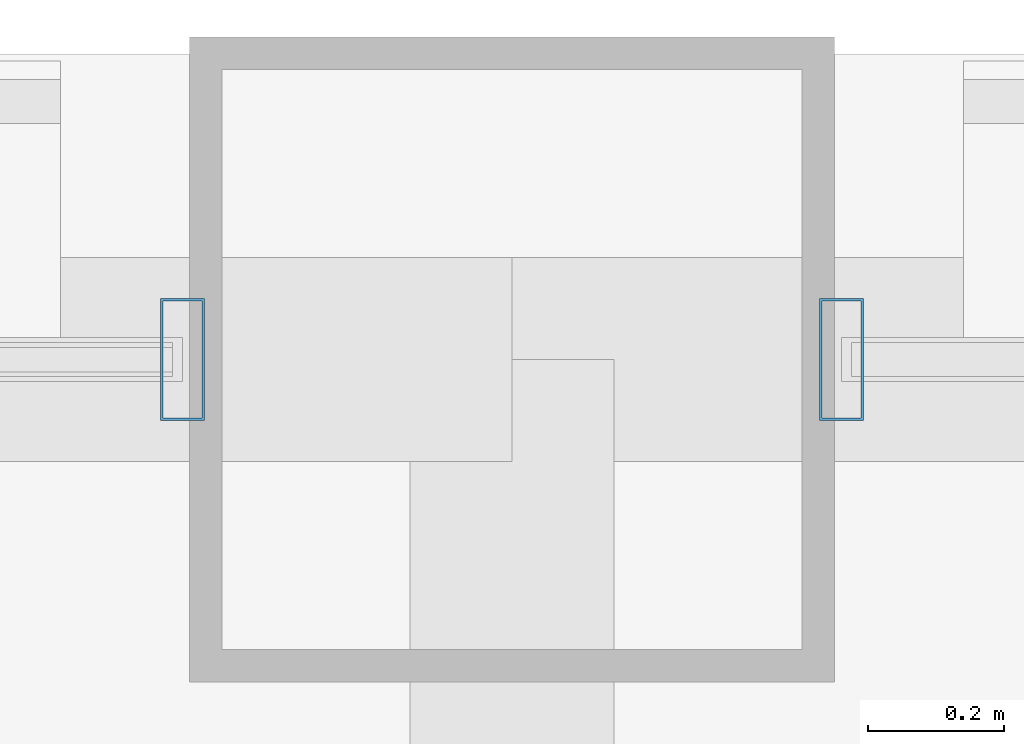
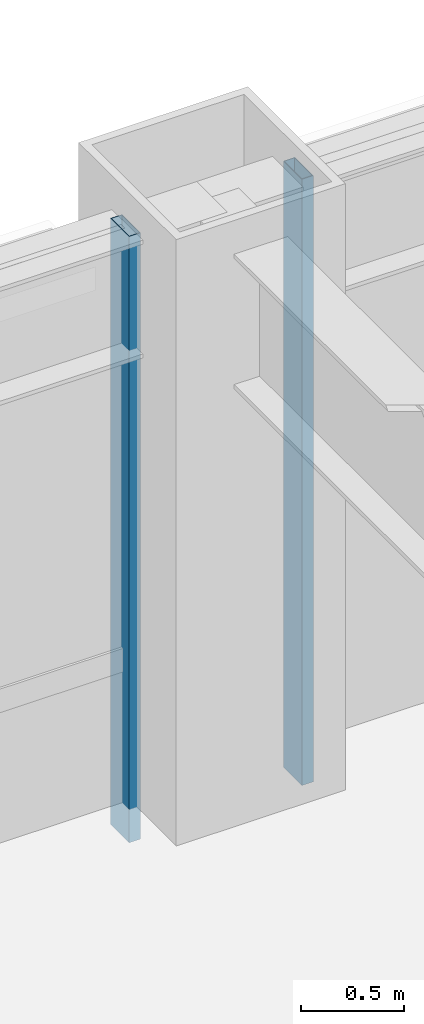
# One storey, part 18 of 31: 2 members, 2 elements without a shape of their own.
"""IFC4 building model written with IfcOpenShell, lengths in metres."""

from ifc_helpers import new_model, si_unit, direction, frame, origin, origin_2d, place, context, subcontext, project, spatial, hollow_rectangle, extrude, material, layer, layer_set, material_profile, profile_set, type_object, element, aggregate, save


model = new_model("IFC4")

# Units and contexts
model_context = context("Model", 3, precision=1e-05, world=origin(), true_north=direction((0.0, 1.0)))
body_context = subcontext(model_context, "Body", "Model", "MODEL_VIEW")
ifc_project = project(units=[si_unit("LENGTHUNIT", "METRE"), si_unit("AREAUNIT", "SQUARE_METRE"), si_unit("VOLUMEUNIT", "CUBIC_METRE"), si_unit("PLANEANGLEUNIT", "RADIAN"), si_unit("MASSUNIT", "GRAM", prefix="KILO")], contexts=[model_context])

# Site, building, storey
site_placement = place(None, origin())
site = spatial("IfcSite", under=ifc_project, at=site_placement, CompositionType="ELEMENT")
building_placement = place(site_placement, origin())
building = spatial("IfcBuilding", under=site, at=building_placement, Name="Brelmoor Portico Tower", CompositionType="ELEMENT")
storey_placement = place(building_placement, frame((0.0, 0.0, 42.0)))
storey = spatial("IfcBuildingStorey", under=building, at=storey_placement, Name="L10", CompositionType="ELEMENT", Elevation=42.0)

# Curtain wall, member
ifc_material = material(Name="Anodised Aluminium Alloy 6063-T6", Category="aluminium")
ifc_layer_1 = layer(ifc_material, 0.179931640625)
ifc_layer_set_1 = layer_set([ifc_layer_1], Name="Anodised Aluminium Alloy 6063-T6")
curtain_wall_type_1 = type_object("IfcCurtainWallType", Name="CW-TOWER-Z1", PredefinedType="NOTDEFINED", material=ifc_layer_set_1)
curtain_wall_1_placement = place(storey_placement, origin())
curtain_wall_1 = element("IfcCurtainWall", 1, at=curtain_wall_1_placement, inside=storey, type_object=curtain_wall_type_1, Name="L10 Curtain Wall CW-L10-2L-2", PredefinedType="NOTDEFINED")
ifc_material_profile = material_profile(ifc_material, hollow_rectangle(XDim=0.06494140625, YDim=0.179931640625, WallThickness=0.00390625, at=origin_2d()), Name="ALU MULLION 65x180")
ifc_profile_set = profile_set([ifc_material_profile], Name="Anodised Aluminium Alloy 6063-T6")
member_type = type_object("IfcMemberType", Name="MB-CW-MULL-180", PredefinedType="MULLION", material=ifc_profile_set)
member_1_placement = place(storey_placement, frame((-8.534912109375, 21.550048828125, -0.199951171875), z_axis=(0.0, 0.0, 1.0), x_axis=(1.0, 0.0, 0.0)))
member_1 = element("IfcMember", 2, at=member_1_placement, type_object=member_type, Name="CW-L10-2L-2 Mullion 01", PredefinedType="MULLION", context=body_context, shape_type="SweptSolid", body=[
    extrude(hollow_rectangle(XDim=0.06494140625, YDim=0.179931640625, WallThickness=0.00390625, at=origin_2d()), origin(), (0.0, 0.0, 1.0), 3.599853515625),
])
aggregate(curtain_wall_1, [member_1])

ifc_layer_2 = layer(ifc_material, 0.179931640625)
ifc_layer_set_2 = layer_set([ifc_layer_2], Name="Anodised Aluminium Alloy 6063-T6")
curtain_wall_type_2 = type_object("IfcCurtainWallType", Name="CW-TOWER-Z1-XB", PredefinedType="NOTDEFINED", material=ifc_layer_set_2)
curtain_wall_2_placement = place(storey_placement, origin())
curtain_wall_2 = element("IfcCurtainWall", 3, at=curtain_wall_2_placement, inside=storey, type_object=curtain_wall_type_2, Name="L10 Curtain Wall CW-L10-2L-3", PredefinedType="NOTDEFINED")
member_2_placement = place(storey_placement, frame((-7.56494140625, 21.550048828125, -0.199951171875), z_axis=(0.0, 0.0, 1.0), x_axis=(1.0, 0.0, 0.0)))
member_2 = element("IfcMember", 4, at=member_2_placement, type_object=member_type, Name="CW-L10-2L-3 Mullion 00", PredefinedType="MULLION", context=body_context, shape_type="SweptSolid", body=[
    extrude(hollow_rectangle(XDim=0.06494140625, YDim=0.179931640625, WallThickness=0.00390625, at=origin_2d()), origin(), (0.0, 0.0, 1.0), 3.599853515625),
])
aggregate(curtain_wall_2, [member_2])

save(model, "model.ifc")
